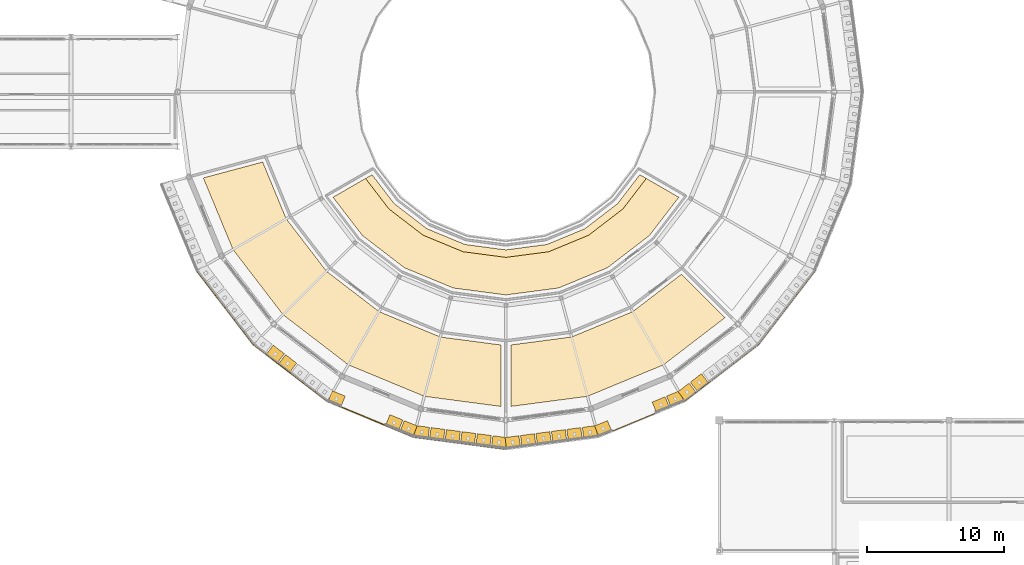
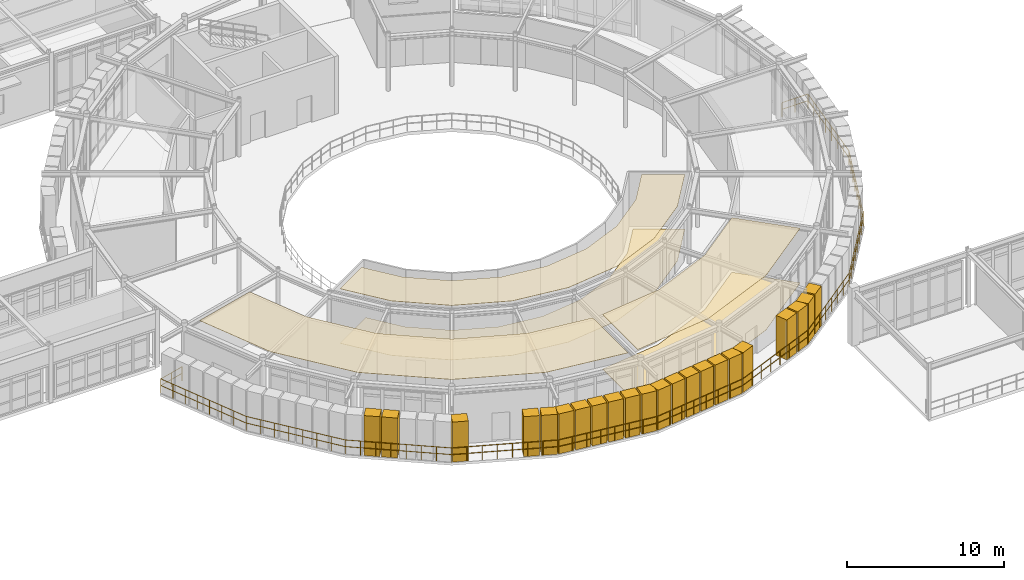
# One storey, part 98 of 106: 22 shading devices, 5 coverings, 2 railings.
"""IFC4 building model written with IfcOpenShell, lengths in metres."""

import ifcopenshell
import ifcopenshell.guid

model = None  # the IFC model being written
_history = None  # IfcOwnerHistory: only IFC2X3 demands one
_inside = {}  # id of a spatial element -> (the spatial element, [elements in it])
_under = {}  # id of a project, library or spatial element -> (it, [spatial elements below it])
_declared = {}  # id of a project -> (the project, [libraries it declares])
_typed = {}  # id of a type object -> (the type object, [elements of that type])
_made_of = {}  # id of a material, layer set ... -> (it, [elements and type objects made of it])


def new_model(schema):
    """Start an empty IFC model of exactly this schema.

    Asked for "IFC4X3", IfcOpenShell would pick the latest addendum, in which some entities
    have other attributes; the version numbers below select the first issue.
    IFC2X3 requires an IfcOwnerHistory on every rooted entity: one is made here for all.
    """
    global model, _history
    if schema == "IFC4X3":
        model = ifcopenshell.file(schema_version=(4, 3, 0, 0))
    else:
        model = ifcopenshell.file(schema=schema)
    _inside.clear()
    _under.clear()
    _declared.clear()
    _typed.clear()
    _made_of.clear()
    _history = None
    if model.schema == "IFC2X3":
        org = make("IfcOrganization", Name="unknown")
        user = make(
            "IfcPersonAndOrganization",
            ThePerson=make("IfcPerson", FamilyName="unknown"),
            TheOrganization=org,
        )
        app = make(
            "IfcApplication",
            ApplicationDeveloper=org,
            Version="unknown",
            ApplicationFullName="unknown",
            ApplicationIdentifier="unknown",
        )
        _history = make(
            "IfcOwnerHistory",
            OwningUser=user,
            OwningApplication=app,
            ChangeAction="ADDED",
            CreationDate=0,
        )
    return model


def make(cls, **values):
    """One entity of the class cls with the attributes given. An attribute that is None is left unset."""
    return model.create_entity(
        cls, **{name: value for name, value in values.items() if value is not None}
    )


def rooted(cls, **values):
    """An entity with a GlobalId (a new one), such as an element, a storey or a relation."""
    return make(cls, GlobalId=ifcopenshell.guid.new(), OwnerHistory=_history, **values)


def si_unit(unit_type, name, prefix=None):
    """IfcSIUnit, for example si_unit("LENGTHUNIT", "METRE", prefix="MILLI")."""
    return make("IfcSIUnit", UnitType=unit_type, Prefix=prefix, Name=name)


def derived_unit(unit_type, elements):
    """IfcDerivedUnit: a product of units, each with its exponent."""
    return make(
        "IfcDerivedUnit",
        Elements=[
            make("IfcDerivedUnitElement", Unit=unit, Exponent=power)
            for unit, power in elements
        ],
        UnitType=unit_type,
    )


def assignment(units):
    """IfcUnitAssignment: the units of a project."""
    return None if units is None else make("IfcUnitAssignment", Units=units)


def point(xyz):
    """IfcCartesianPoint."""
    return None if xyz is None else make("IfcCartesianPoint", Coordinates=xyz)


def direction(xyz):
    """IfcDirection."""
    return None if xyz is None else make("IfcDirection", DirectionRatios=xyz)


def frame(location, z_axis=None, x_axis=None):
    """IfcAxis2Placement3D, a coordinate frame: its origin and axes. An axis left out is left unset."""
    return make(
        "IfcAxis2Placement3D",
        Location=point(location),
        Axis=direction(z_axis),
        RefDirection=direction(x_axis),
    )


def frame_2d(location, x_axis=None):
    """IfcAxis2Placement2D, a coordinate frame in the plane: its origin and x axis."""
    return make(
        "IfcAxis2Placement2D", Location=point(location), RefDirection=direction(x_axis)
    )


def origin():
    """The frame at (0, 0, 0) with its axes left unset."""
    return frame((0.0, 0.0, 0.0))


def origin_2d():
    """The frame at (0, 0) in the plane with its x axis left unset."""
    return frame_2d((0.0, 0.0))


def place(relative_to, where):
    """IfcLocalPlacement: puts the frame where relative to a parent placement (None: the world)."""
    return make(
        "IfcLocalPlacement", PlacementRelTo=relative_to, RelativePlacement=where
    )


def context(
    kind, dimensions, precision=None, world=None, true_north=None, identifier=None
):
    """IfcGeometricRepresentationContext, for example the 3D "Model" context."""
    return make(
        "IfcGeometricRepresentationContext",
        ContextIdentifier=identifier,
        ContextType=kind,
        CoordinateSpaceDimension=dimensions,
        Precision=precision,
        WorldCoordinateSystem=world,
        TrueNorth=true_north,
    )


def subcontext(parent, identifier, kind, view, scale=None):
    """IfcGeometricRepresentationSubContext, for example "Body" below "Model"."""
    return make(
        "IfcGeometricRepresentationSubContext",
        ContextIdentifier=identifier,
        ContextType=kind,
        ParentContext=parent,
        TargetScale=scale,
        TargetView=view,
    )


def project(units=None, contexts=None):
    """IfcProject with its units and contexts."""
    return rooted(
        "IfcProject",
        Name="project",
        RepresentationContexts=contexts,
        UnitsInContext=assignment(units),
    )


def spatial(cls, under=None, at=None, **own):
    """A site, building, storey or space (cls), placed at a placement, below another one or the project."""
    s = rooted(cls, ObjectPlacement=at, **own)
    if under is not None:
        _under.setdefault(under.id(), (under, []))[1].append(s)
    return s


def polyline(points):
    """IfcPolyline through the points."""
    return make("IfcPolyline", Points=[point(p) for p in points])


def profile(cls, at=None, kind="AREA", **sizes):
    """A parametric profile (cls). Its sizes go by their IFC names, for example OverallWidth=200.0."""
    return make(cls, ProfileType=kind, Position=at, **sizes)


def rectangle(**sizes):
    """IfcRectangleProfileDef."""
    return profile("IfcRectangleProfileDef", **sizes)


def circle(**sizes):
    """IfcCircleProfileDef."""
    return profile("IfcCircleProfileDef", **sizes)


def outline(outer, holes=None, kind="AREA"):
    """IfcArbitraryClosedProfileDef: a profile drawn as a closed curve; with holes, ...WithVoids."""
    if holes is None:
        return make("IfcArbitraryClosedProfileDef", ProfileType=kind, OuterCurve=outer)
    return make(
        "IfcArbitraryProfileDefWithVoids",
        ProfileType=kind,
        OuterCurve=outer,
        InnerCurves=holes,
    )


def extrude(swept, where, along, depth):
    """IfcExtrudedAreaSolid: the profile swept, set in the frame where, extruded along a direction by depth."""
    return make(
        "IfcExtrudedAreaSolid",
        SweptArea=swept,
        Position=where,
        ExtrudedDirection=direction(along),
        Depth=depth,
    )


def shape(context_of_items, identifier, shape_type, items):
    """IfcShapeRepresentation: the items that make up one representation, for example the "Body"."""
    return make(
        "IfcShapeRepresentation",
        ContextOfItems=context_of_items,
        RepresentationIdentifier=identifier,
        RepresentationType=shape_type,
        Items=items,
    )


def material(Name=None, Category=None):
    """IfcMaterial."""
    return make("IfcMaterial", Name=Name, Category=Category)


def layer(
    of_material, thickness, ventilated=None, Name=None, Category=None, Priority=None
):
    """IfcMaterialLayer: one layer of a wall or slab, of a material (None: an air gap)."""
    return make(
        "IfcMaterialLayer",
        Material=of_material,
        LayerThickness=thickness,
        IsVentilated=ventilated,
        Name=Name,
        Category=Category,
        Priority=Priority,
    )


def layer_set(layers, Name=None):
    """IfcMaterialLayerSet."""
    return make("IfcMaterialLayerSet", MaterialLayers=layers, LayerSetName=Name)


def made_of(thing, what):
    """Note that an element or type object is made of a material, layer set ...; save() writes the relation."""
    if what is not None:
        _made_of.setdefault(what.id(), (what, []))[1].append(thing)
    return thing


def type_object(cls, material=None, **own):
    """A type object (cls), such as IfcWallType, which elements share."""
    return made_of(rooted(cls, **own), material)


def element(
    cls,
    number,
    at=None,
    inside=None,
    cuts=None,
    type_object=None,
    material=None,
    context=None,
    identifier="Body",
    shape_type=None,
    held_by="IfcProductDefinitionShape",
    body=None,
    shapes=None,
    **own,
):
    """One element of the class cls, such as IfcWall. Its Tag is "e" and its number.

    at: its placement. inside: the storey or other place that contains it. cuts: it is an
    opening in that element (IfcRelVoidsElement). A single representation is given by context,
    identifier, shape_type and body (its items); several are given by shapes. held_by: the class
    of the entity that holds the representations. save() writes the other relations.
    """
    e = rooted(cls, Tag="e%d" % number, ObjectPlacement=at, **own)
    if body is not None:
        shapes = [shape(context, identifier, shape_type, body)]
    if shapes is not None:
        e.Representation = make(held_by, Representations=shapes)
    if inside is not None:
        _inside.setdefault(inside.id(), (inside, []))[1].append(e)
    if cuts is not None:
        rooted(
            "IfcRelVoidsElement", RelatingBuildingElement=cuts, RelatedOpeningElement=e
        )
    if type_object is not None:
        _typed.setdefault(type_object.id(), (type_object, []))[1].append(e)
    return made_of(e, material)


def aggregate(whole, parts):
    """IfcRelAggregates: a whole, such as a stair, and the parts it consists of."""
    return rooted("IfcRelAggregates", RelatingObject=whole, RelatedObjects=parts)


def save(model, path):
    """Write the relations noted so far, then the file.

    IfcRelAggregates (storeys below a building ...), IfcRelContainedInSpatialStructure (elements
    in a storey), IfcRelDefinesByType, IfcRelAssociatesMaterial and IfcRelDeclares: one each for
    every whole, place, type object, material and project.
    """
    for whole, parts in _under.values():
        aggregate(whole, parts)
    for where, things in _inside.values():
        rooted(
            "IfcRelContainedInSpatialStructure",
            RelatedElements=things,
            RelatingStructure=where,
        )
    for kind, things in _typed.values():
        rooted("IfcRelDefinesByType", RelatedObjects=things, RelatingType=kind)
    for what, things in _made_of.values():
        rooted("IfcRelAssociatesMaterial", RelatedObjects=things, RelatingMaterial=what)
    for by, libraries in _declared.values():
        rooted("IfcRelDeclares", RelatingContext=by, RelatedDefinitions=libraries)
    model.write(path)


model = new_model("IFC4")

# Units and contexts
model_context = context("Model", 3, precision=1e-05, world=origin(), true_north=direction((0.0, 1.0)))
body_context = subcontext(model_context, "Body", "Model", "MODEL_VIEW")
ifc_project = project(units=[si_unit("LENGTHUNIT", "METRE"), si_unit("AREAUNIT", "SQUARE_METRE"), si_unit("VOLUMEUNIT", "CUBIC_METRE"), si_unit("PLANEANGLEUNIT", "RADIAN"), si_unit("MASSUNIT", "GRAM", prefix="KILO"), derived_unit("THERMALTRANSMITTANCEUNIT", [(si_unit("POWERUNIT", "WATT"), 1), (si_unit("AREAUNIT", "SQUARE_METRE"), -1), (si_unit("THERMODYNAMICTEMPERATUREUNIT", "KELVIN"), -1)])], contexts=[model_context])

# Site, building, storey
site_placement = place(None, origin())
site = spatial("IfcSite", under=ifc_project, at=site_placement, CompositionType="ELEMENT")
building_placement = place(site_placement, origin())
building = spatial("IfcBuilding", under=site, at=building_placement, Name="Yasenodar Specialist Clinic", CompositionType="ELEMENT")
storey_placement = place(building_placement, frame((0.0, 0.0, 4.5)))
storey = spatial("IfcBuildingStorey", under=building, at=storey_placement, Name="L01", CompositionType="ELEMENT", Elevation=4.5)

# Coverings
ifc_material_1 = material(Name="Hygienic Acoustic Mineral-Fibre Ceiling")
ifc_layer_1 = layer(ifc_material_1, 0.02490234375)
ifc_layer_set_1 = layer_set([ifc_layer_1], Name="Hygienic Acoustic Mineral-Fibre Ceiling")
covering_type_1 = type_object("IfcCoveringType", Name="COV-CEIL-AC", PredefinedType="CEILING", material=ifc_layer_set_1)
covering_1_placement = place(storey_placement, frame((0.0, 0.0, 4.22509765625)))
element("IfcCovering", 1, at=covering_1_placement, inside=storey, type_object=covering_type_1, Name="L01 Hematology Day-Treatment Suite Acoustic Ceiling", PredefinedType="CEILING", context=body_context, shape_type="SweptSolid", body=[
    extrude(outline(polyline([(64.927978515625, 49.5380859375), (64.943115234375, 49.511962890625), (64.9609375, 49.487060546875), (67.85302734375, 45.718017578125), (67.873046875, 45.694091796875), (67.89404296875, 45.673095703125), (67.91796875, 45.653076171875), (71.68701171875, 42.760986328125), (71.7119140625, 42.742919921875), (71.738037109375, 42.72802734375), (71.76611328125, 42.715087890625), (76.156005859375, 40.89697265625), (76.18408203125, 40.885986328125), (76.214111328125, 40.8779296875), (76.243896484375, 40.873046875), (80.64990234375, 40.29296875), (80.64990234375, 35.799072265625), (75.034912109375, 36.5380859375), (69.47705078125, 38.841064453125), (64.702880859375, 42.5029296875), (61.041015625, 47.277099609375), (58.873046875, 52.509033203125), (63.214111328125, 53.672119140625), (64.9150390625, 49.56591796875), (64.927978515625, 49.5380859375)])), origin(), (0.0, 0.0, 1.0), 0.02490234375),
])
covering_2_placement = place(storey_placement, frame((0.0, 0.0, 4.22509765625)))
element("IfcCovering", 2, at=covering_2_placement, inside=storey, type_object=covering_type_1, Name="L01 Infusion Recovery Observation Room Acoustic Ceiling", PredefinedType="CEILING", context=body_context, shape_type="SweptSolid", body=[
    extrude(outline(polyline([(85.81591796875, 40.885986328125), (85.843994140625, 40.89697265625), (90.23388671875, 42.715087890625), (90.261962890625, 42.72802734375), (90.2880859375, 42.742919921875), (90.31298828125, 42.760986328125), (93.839111328125, 45.466064453125), (97.01708984375, 42.2880859375), (92.52294921875, 38.841064453125), (86.965087890625, 36.5380859375), (81.3701171875, 35.802001953125), (81.3701171875, 40.2958984375), (85.756103515625, 40.873046875), (85.785888671875, 40.8779296875), (85.81591796875, 40.885986328125)])), origin(), (0.0, 0.0, 1.0), 0.02490234375),
])
covering_3_placement = place(storey_placement, frame((0.0, 0.0, 4.22509765625)))
element("IfcCovering", 3, at=covering_3_placement, inside=storey, type_object=covering_type_1, Name="L01 Atrium Daylit Waiting Gallery Acoustic Ceiling", PredefinedType="CEILING", context=body_context, shape_type="SweptSolid", body=[
    extrude(outline(polyline([(93.64306640625, 51.095947265625), (91.498046875, 48.302001953125), (88.423095703125, 45.94189453125), (84.843017578125, 44.458984375), (81.0, 43.952880859375), (77.156982421875, 44.458984375), (73.576904296875, 45.94189453125), (70.501953125, 48.302001953125), (68.35693359375, 51.095947265625), (70.735107421875, 52.469970703125), (72.43505859375, 50.25390625), (72.44091796875, 50.2470703125), (72.447021484375, 50.240966796875), (72.4541015625, 50.235107421875), (74.93896484375, 48.327880859375), (74.946044921875, 48.322998046875), (74.9541015625, 48.319091796875), (74.9619140625, 48.31494140625), (77.85595703125, 47.116943359375), (77.864013671875, 47.114013671875), (77.873046875, 47.111083984375), (77.881103515625, 47.110107421875), (80.987060546875, 46.700927734375), (80.99609375, 46.699951171875), (81.00390625, 46.699951171875), (81.012939453125, 46.700927734375), (84.118896484375, 47.110107421875), (84.126953125, 47.111083984375), (84.135986328125, 47.114013671875), (84.14404296875, 47.116943359375), (87.0380859375, 48.31494140625), (87.0458984375, 48.319091796875), (87.053955078125, 48.322998046875), (87.06103515625, 48.327880859375), (89.5458984375, 50.235107421875), (89.552978515625, 50.240966796875), (89.55908203125, 50.2470703125), (89.56494140625, 50.25390625), (91.264892578125, 52.469970703125), (93.64306640625, 51.095947265625)])), origin(), (0.0, 0.0, 1.0), 0.02490234375),
])
ifc_material_2 = material(Name="Seamless Epoxy Terrazzo Clinical Flooring")
ifc_layer_2 = layer(ifc_material_2, 0.02001953125)
ifc_layer_set_2 = layer_set([ifc_layer_2], Name="Seamless Epoxy Terrazzo Clinical Flooring")
covering_type_2 = type_object("IfcCoveringType", Name="COV-FLR-TERR", PredefinedType="FLOORING", material=ifc_layer_set_2)
covering_4_placement = place(storey_placement, origin())
element("IfcCovering", 4, at=covering_4_placement, inside=storey, type_object=covering_type_2, Name="L01 Infusion Recovery Observation Room Terrazzo Flooring", PredefinedType="FLOORING", context=body_context, shape_type="SweptSolid", body=[
    extrude(outline(polyline([(85.81591796875, 40.885986328125), (85.843994140625, 40.89697265625), (90.23388671875, 42.715087890625), (90.261962890625, 42.72802734375), (90.2880859375, 42.742919921875), (90.31298828125, 42.760986328125), (93.839111328125, 45.466064453125), (97.01708984375, 42.2880859375), (92.52294921875, 38.841064453125), (86.965087890625, 36.5380859375), (81.3701171875, 35.802001953125), (81.3701171875, 40.2958984375), (85.756103515625, 40.873046875), (85.785888671875, 40.8779296875), (85.81591796875, 40.885986328125)])), origin(), (0.0, 0.0, 1.0), 0.02001953125),
])
covering_5_placement = place(storey_placement, origin())
element("IfcCovering", 5, at=covering_5_placement, inside=storey, type_object=covering_type_2, Name="L01 Atrium Daylit Waiting Gallery Terrazzo Flooring", PredefinedType="FLOORING", context=body_context, shape_type="SweptSolid", body=[
    extrude(outline(polyline([(72.822021484375, 50.64404296875), (72.843994140625, 50.6220703125), (72.866943359375, 50.60302734375), (75.18701171875, 48.822998046875), (75.2119140625, 48.804931640625), (75.238037109375, 48.7900390625), (75.26611328125, 48.777099609375), (77.967041015625, 47.657958984375), (77.99609375, 47.64794921875), (78.02490234375, 47.639892578125), (78.055908203125, 47.635009765625), (80.9541015625, 47.2529296875), (80.985107421875, 47.25), (81.014892578125, 47.25), (81.0458984375, 47.2529296875), (83.944091796875, 47.635009765625), (83.97509765625, 47.639892578125), (84.00390625, 47.64794921875), (84.032958984375, 47.657958984375), (86.73388671875, 48.777099609375), (86.761962890625, 48.7900390625), (86.7880859375, 48.804931640625), (86.81298828125, 48.822998046875), (89.133056640625, 50.60302734375), (89.156005859375, 50.6220703125), (89.177978515625, 50.64404296875), (89.197021484375, 50.6669921875), (90.7900390625, 52.742919921875), (93.64306640625, 51.095947265625), (91.498046875, 48.302001953125), (88.423095703125, 45.94189453125), (84.843017578125, 44.458984375), (81.0, 43.952880859375), (77.156982421875, 44.458984375), (73.576904296875, 45.94189453125), (70.501953125, 48.302001953125), (68.35693359375, 51.095947265625), (71.2099609375, 52.742919921875), (72.802978515625, 50.6669921875), (72.822021484375, 50.64404296875)])), origin(), (0.0, 0.0, 1.0), 0.02001953125),
])

# Railings
ifc_material_3 = material(Name="Bronze Anodized Aluminium and Larch Balustrade", Category="aluminium")
railing_type = type_object("IfcRailingType", Name="RL-BAL-1120", PredefinedType="BALUSTRADE", material=ifc_material_3)
railing_1_placement = place(storey_placement, frame((57.605224609375, 52.531494140625, 0.0)))
element("IfcRailing", 6, at=railing_1_placement, inside=storey, type_object=railing_type, Name="L01 Drum V1 Balcony Balustrade 3", PredefinedType="BALUSTRADE", context=body_context, shape_type="SweptSolid", body=[
    extrude(circle(Radius=0.02392578125, at=origin_2d()), frame((0.0, 0.0, 1.09619140625), z_axis=(-0.965899289485, -0.258918061502, 0.0), x_axis=(0.258918061502, -0.965899289485, 0.0)), (0.0, 0.0, 1.0), 1.89990234375),
    extrude(circle(Radius=0.02392578125, at=origin_2d()), frame((0.0, 0.0, 0.58251953125), z_axis=(-0.965899289485, -0.258918061502, 0.0), x_axis=(0.258918061502, -0.965899289485, 0.0)), (0.0, 0.0, 1.0), 1.89990234375),
    extrude(circle(Radius=0.02392578125, at=origin_2d()), frame((-1.835205078125, -0.491943359375, 1.09619140625), z_axis=(0.382684882513, -0.923878931839, 0.0), x_axis=(0.923878931839, 0.382684882513, 0.0)), (0.0, 0.0, 1.0), 6.818603515625),
    extrude(circle(Radius=0.02392578125, at=origin_2d()), frame((-1.835205078125, -0.491943359375, 0.58251953125), z_axis=(0.382684882513, -0.923878931839, 0.0), x_axis=(0.923878931839, 0.382684882513, 0.0)), (0.0, 0.0, 1.0), 6.818603515625),
    extrude(circle(Radius=0.02392578125, at=origin_2d()), frame((0.774169921875, -6.79150390625, 1.09619140625), z_axis=(0.608774242529, -0.793343507967, 0.0), x_axis=(0.793343507967, 0.608774242529, 0.0)), (0.0, 0.0, 1.0), 6.81884765625),
    extrude(circle(Radius=0.02392578125, at=origin_2d()), frame((0.774169921875, -6.79150390625, 0.58251953125), z_axis=(0.608774242529, -0.793343507967, 0.0), x_axis=(0.793343507967, 0.608774242529, 0.0)), (0.0, 0.0, 1.0), 6.81884765625),
    extrude(circle(Radius=0.02392578125, at=origin_2d()), frame((4.92529296875, -12.201171875, 1.09619140625), z_axis=(0.793347531118, -0.608768999597, 0.0), x_axis=(0.608768999597, 0.793347531118, 0.0)), (0.0, 0.0, 1.0), 6.818359375),
    extrude(circle(Radius=0.02392578125, at=origin_2d()), frame((4.92529296875, -12.201171875, 0.58251953125), z_axis=(0.793347531118, -0.608768999597, 0.0), x_axis=(0.608768999597, 0.793347531118, 0.0)), (0.0, 0.0, 1.0), 6.818359375),
    extrude(circle(Radius=0.02392578125, at=origin_2d()), frame((10.334716796875, -16.35205078125, 1.09619140625), z_axis=(0.923878931839, -0.382684882513, 0.0), x_axis=(0.382684882513, 0.923878931839, 0.0)), (0.0, 0.0, 1.0), 6.818603515625),
    extrude(circle(Radius=0.02392578125, at=origin_2d()), frame((10.334716796875, -16.35205078125, 0.58251953125), z_axis=(0.923878931839, -0.382684882513, 0.0), x_axis=(0.382684882513, 0.923878931839, 0.0)), (0.0, 0.0, 1.0), 6.818603515625),
    extrude(circle(Radius=0.02392578125, at=origin_2d()), frame((16.63427734375, -18.96142578125, 1.09619140625), z_axis=(0.9914429584, -0.130540645926, 0.0), x_axis=(0.130540645926, 0.9914429584, 0.0)), (0.0, 0.0, 1.0), 6.81884765625),
    extrude(circle(Radius=0.02392578125, at=origin_2d()), frame((16.63427734375, -18.96142578125, 0.58251953125), z_axis=(0.9914429584, -0.130540645926, 0.0), x_axis=(0.130540645926, 0.9914429584, 0.0)), (0.0, 0.0, 1.0), 6.81884765625),
    extrude(circle(Radius=0.02392578125, at=origin_2d()), frame((23.394775390625, -19.8515625, 1.09619140625), z_axis=(0.0, 1.0, 0.0), x_axis=(-1.0, 0.0, 0.0)), (0.0, 0.0, 1.0), 1.900146484375),
    extrude(circle(Radius=0.02392578125, at=origin_2d()), frame((23.394775390625, -19.8515625, 0.58251953125), z_axis=(0.0, 1.0, 0.0), x_axis=(-1.0, 0.0, 0.0)), (0.0, 0.0, 1.0), 1.900146484375),
    extrude(circle(Radius=0.02099609375, at=origin_2d()), origin(), (0.0, 0.0, 1.0), 1.072021484375),
    extrude(circle(Radius=0.02099609375, at=origin_2d()), frame((-0.91748046875, -0.24609375, 0.0)), (0.0, 0.0, 1.0), 1.072021484375),
    extrude(circle(Radius=0.02099609375, at=origin_2d()), frame((-1.835205078125, -0.491943359375, 0.0)), (0.0, 0.0, 1.0), 1.072021484375),
    extrude(circle(Radius=0.02099609375, at=origin_2d()), frame((-1.46240234375, -1.391845703125, 0.0)), (0.0, 0.0, 1.0), 1.072021484375),
    extrude(circle(Radius=0.02099609375, at=origin_2d()), frame((-1.089599609375, -2.291748046875, 0.0)), (0.0, 0.0, 1.0), 1.072021484375),
    extrude(circle(Radius=0.02099609375, at=origin_2d()), frame((-0.716796875, -3.191650390625, 0.0)), (0.0, 0.0, 1.0), 1.072021484375),
    extrude(circle(Radius=0.02099609375, at=origin_2d()), frame((-0.34423828125, -4.091796875, 0.0)), (0.0, 0.0, 1.0), 1.072021484375),
    extrude(circle(Radius=0.02099609375, at=origin_2d()), frame((0.028564453125, -4.99169921875, 0.0)), (0.0, 0.0, 1.0), 1.072021484375),
    extrude(circle(Radius=0.02099609375, at=origin_2d()), frame((0.4013671875, -5.8916015625, 0.0)), (0.0, 0.0, 1.0), 1.072021484375),
    extrude(circle(Radius=0.02099609375, at=origin_2d()), frame((0.774169921875, -6.79150390625, 0.0)), (0.0, 0.0, 1.0), 1.072021484375),
    extrude(circle(Radius=0.02099609375, at=origin_2d()), frame((1.3671875, -7.564208984375, 0.0)), (0.0, 0.0, 1.0), 1.072021484375),
    extrude(circle(Radius=0.02099609375, at=origin_2d()), frame((1.960205078125, -8.337158203125, 0.0)), (0.0, 0.0, 1.0), 1.072021484375),
    extrude(circle(Radius=0.02099609375, at=origin_2d()), frame((2.55322265625, -9.10986328125, 0.0)), (0.0, 0.0, 1.0), 1.072021484375),
    extrude(circle(Radius=0.02099609375, at=origin_2d()), frame((3.146240234375, -9.8828125, 0.0)), (0.0, 0.0, 1.0), 1.072021484375),
    extrude(circle(Radius=0.02099609375, at=origin_2d()), frame((3.7392578125, -10.655517578125, 0.0)), (0.0, 0.0, 1.0), 1.072021484375),
    extrude(circle(Radius=0.02099609375, at=origin_2d()), frame((4.332275390625, -11.428466796875, 0.0)), (0.0, 0.0, 1.0), 1.072021484375),
    extrude(circle(Radius=0.02099609375, at=origin_2d()), frame((4.92529296875, -12.201171875, 0.0)), (0.0, 0.0, 1.0), 1.072021484375),
    extrude(circle(Radius=0.02099609375, at=origin_2d()), frame((5.697998046875, -12.794189453125, 0.0)), (0.0, 0.0, 1.0), 1.072021484375),
    extrude(circle(Radius=0.02099609375, at=origin_2d()), frame((6.470947265625, -13.38720703125, 0.0)), (0.0, 0.0, 1.0), 1.072021484375),
    extrude(circle(Radius=0.02099609375, at=origin_2d()), frame((7.24365234375, -13.980224609375, 0.0)), (0.0, 0.0, 1.0), 1.072021484375),
    extrude(circle(Radius=0.02099609375, at=origin_2d()), frame((8.016357421875, -14.572998046875, 0.0)), (0.0, 0.0, 1.0), 1.072021484375),
    extrude(circle(Radius=0.02099609375, at=origin_2d()), frame((8.7890625, -15.166015625, 0.0)), (0.0, 0.0, 1.0), 1.072021484375),
    extrude(circle(Radius=0.02099609375, at=origin_2d()), frame((9.56201171875, -15.759033203125, 0.0)), (0.0, 0.0, 1.0), 1.072021484375),
    extrude(circle(Radius=0.02099609375, at=origin_2d()), frame((10.334716796875, -16.35205078125, 0.0)), (0.0, 0.0, 1.0), 1.072021484375),
    extrude(circle(Radius=0.02099609375, at=origin_2d()), frame((11.234619140625, -16.724853515625, 0.0)), (0.0, 0.0, 1.0), 1.072021484375),
    extrude(circle(Radius=0.02099609375, at=origin_2d()), frame((12.134521484375, -17.09765625, 0.0)), (0.0, 0.0, 1.0), 1.072021484375),
    extrude(circle(Radius=0.02099609375, at=origin_2d()), frame((13.034423828125, -17.470458984375, 0.0)), (0.0, 0.0, 1.0), 1.072021484375),
    extrude(circle(Radius=0.02099609375, at=origin_2d()), frame((13.9345703125, -17.843017578125, 0.0)), (0.0, 0.0, 1.0), 1.072021484375),
    extrude(circle(Radius=0.02099609375, at=origin_2d()), frame((14.83447265625, -18.2158203125, 0.0)), (0.0, 0.0, 1.0), 1.072021484375),
    extrude(circle(Radius=0.02099609375, at=origin_2d()), frame((15.734375, -18.588623046875, 0.0)), (0.0, 0.0, 1.0), 1.072021484375),
    extrude(circle(Radius=0.02099609375, at=origin_2d()), frame((16.63427734375, -18.96142578125, 0.0)), (0.0, 0.0, 1.0), 1.072021484375),
    extrude(circle(Radius=0.02099609375, at=origin_2d()), frame((17.60009765625, -19.088623046875, 0.0)), (0.0, 0.0, 1.0), 1.072021484375),
    extrude(circle(Radius=0.02099609375, at=origin_2d()), frame((18.56591796875, -19.2158203125, 0.0)), (0.0, 0.0, 1.0), 1.072021484375),
    extrude(circle(Radius=0.02099609375, at=origin_2d()), frame((19.53173828125, -19.343017578125, 0.0)), (0.0, 0.0, 1.0), 1.072021484375),
    extrude(circle(Radius=0.02099609375, at=origin_2d()), frame((20.497314453125, -19.469970703125, 0.0)), (0.0, 0.0, 1.0), 1.072021484375),
    extrude(circle(Radius=0.02099609375, at=origin_2d()), frame((21.463134765625, -19.59716796875, 0.0)), (0.0, 0.0, 1.0), 1.072021484375),
    extrude(circle(Radius=0.02099609375, at=origin_2d()), frame((22.428955078125, -19.724365234375, 0.0)), (0.0, 0.0, 1.0), 1.072021484375),
    extrude(circle(Radius=0.02099609375, at=origin_2d()), frame((23.394775390625, -19.8515625, 0.0)), (0.0, 0.0, 1.0), 1.072021484375),
    extrude(circle(Radius=0.02099609375, at=origin_2d()), frame((23.394775390625, -18.9013671875, 0.0)), (0.0, 0.0, 1.0), 1.072021484375),
    extrude(circle(Radius=0.02099609375, at=origin_2d()), frame((23.394775390625, -17.951416015625, 0.0)), (0.0, 0.0, 1.0), 1.072021484375),
])
railing_2_placement = place(storey_placement, frame((81.0, 34.580078125, 0.0)))
element("IfcRailing", 7, at=railing_2_placement, inside=storey, type_object=railing_type, Name="L01 Drum V1 Balcony Balustrade 4", PredefinedType="BALUSTRADE", context=body_context, shape_type="SweptSolid", body=[
    extrude(circle(Radius=0.02392578125, at=origin_2d()), frame((0.0, 0.0, 1.09619140625), z_axis=(0.0, -1.0, 0.0), x_axis=(1.0, 0.0, 0.0)), (0.0, 0.0, 1.0), 1.900146484375),
    extrude(circle(Radius=0.02392578125, at=origin_2d()), frame((0.0, 0.0, 0.58251953125), z_axis=(0.0, -1.0, 0.0), x_axis=(1.0, 0.0, 0.0)), (0.0, 0.0, 1.0), 1.900146484375),
    extrude(circle(Radius=0.02392578125, at=origin_2d()), frame((0.0, -1.900146484375, 1.09619140625), z_axis=(0.9914429584, 0.130540645926, 0.0), x_axis=(-0.130540645926, 0.9914429584, 0.0)), (0.0, 0.0, 1.0), 6.81884765625),
    extrude(circle(Radius=0.02392578125, at=origin_2d()), frame((0.0, -1.900146484375, 0.58251953125), z_axis=(0.9914429584, 0.130540645926, 0.0), x_axis=(-0.130540645926, 0.9914429584, 0.0)), (0.0, 0.0, 1.0), 6.81884765625),
    extrude(circle(Radius=0.02392578125, at=origin_2d()), frame((6.760498046875, -1.010009765625, 1.09619140625), z_axis=(0.923878931839, 0.382684882513, 0.0), x_axis=(-0.382684882513, 0.923878931839, 0.0)), (0.0, 0.0, 1.0), 6.818603515625),
    extrude(circle(Radius=0.02392578125, at=origin_2d()), frame((6.760498046875, -1.010009765625, 0.58251953125), z_axis=(0.923878931839, 0.382684882513, 0.0), x_axis=(-0.382684882513, 0.923878931839, 0.0)), (0.0, 0.0, 1.0), 6.818603515625),
    extrude(circle(Radius=0.02392578125, at=origin_2d()), frame((13.06005859375, 1.599365234375, 1.09619140625), z_axis=(0.793347531118, 0.608768999597, 0.0), x_axis=(-0.608768999597, 0.793347531118, 0.0)), (0.0, 0.0, 1.0), 6.818359375),
    extrude(circle(Radius=0.02392578125, at=origin_2d()), frame((13.06005859375, 1.599365234375, 0.58251953125), z_axis=(0.793347531118, 0.608768999597, 0.0), x_axis=(-0.608768999597, 0.793347531118, 0.0)), (0.0, 0.0, 1.0), 6.818359375),
    extrude(circle(Radius=0.02392578125, at=origin_2d()), frame((18.469482421875, 5.750244140625, 1.09619140625), z_axis=(0.608774242529, 0.793343507967, 0.0), x_axis=(-0.793343507967, 0.608774242529, 0.0)), (0.0, 0.0, 1.0), 6.81884765625),
    extrude(circle(Radius=0.02392578125, at=origin_2d()), frame((18.469482421875, 5.750244140625, 0.58251953125), z_axis=(0.608774242529, 0.793343507967, 0.0), x_axis=(-0.793343507967, 0.608774242529, 0.0)), (0.0, 0.0, 1.0), 6.81884765625),
    extrude(circle(Radius=0.02392578125, at=origin_2d()), frame((22.62060546875, 11.159912109375, 1.09619140625), z_axis=(0.382684882513, 0.923878931839, 0.0), x_axis=(-0.923878931839, 0.382684882513, 0.0)), (0.0, 0.0, 1.0), 6.818603515625),
    extrude(circle(Radius=0.02392578125, at=origin_2d()), frame((22.62060546875, 11.159912109375, 0.58251953125), z_axis=(0.382684882513, 0.923878931839, 0.0), x_axis=(-0.923878931839, 0.382684882513, 0.0)), (0.0, 0.0, 1.0), 6.818603515625),
    extrude(circle(Radius=0.02392578125, at=origin_2d()), frame((25.22998046875, 17.45947265625, 1.09619140625), z_axis=(0.130540645926, 0.9914429584, 0.0), x_axis=(-0.9914429584, 0.130540645926, 0.0)), (0.0, 0.0, 1.0), 6.81884765625),
    extrude(circle(Radius=0.02392578125, at=origin_2d()), frame((25.22998046875, 17.45947265625, 0.58251953125), z_axis=(0.130540645926, 0.9914429584, 0.0), x_axis=(-0.9914429584, 0.130540645926, 0.0)), (0.0, 0.0, 1.0), 6.81884765625),
    extrude(circle(Radius=0.02392578125, at=origin_2d()), frame((26.1201171875, 24.219970703125, 1.09619140625), z_axis=(-1.0, 0.0, 0.0), x_axis=(0.0, -1.0, 0.0)), (0.0, 0.0, 1.0), 1.900146484375),
    extrude(circle(Radius=0.02392578125, at=origin_2d()), frame((26.1201171875, 24.219970703125, 0.58251953125), z_axis=(-1.0, 0.0, 0.0), x_axis=(0.0, -1.0, 0.0)), (0.0, 0.0, 1.0), 1.900146484375),
    extrude(circle(Radius=0.02099609375, at=origin_2d()), origin(), (0.0, 0.0, 1.0), 1.072021484375),
    extrude(circle(Radius=0.02099609375, at=origin_2d()), frame((0.0, -0.9501953125, 0.0)), (0.0, 0.0, 1.0), 1.072021484375),
    extrude(circle(Radius=0.02099609375, at=origin_2d()), frame((0.0, -1.900146484375, 0.0)), (0.0, 0.0, 1.0), 1.072021484375),
    extrude(circle(Radius=0.02099609375, at=origin_2d()), frame((0.9658203125, -1.77294921875, 0.0)), (0.0, 0.0, 1.0), 1.072021484375),
    extrude(circle(Radius=0.02099609375, at=origin_2d()), frame((1.931640625, -1.645751953125, 0.0)), (0.0, 0.0, 1.0), 1.072021484375),
    extrude(circle(Radius=0.02099609375, at=origin_2d()), frame((2.8974609375, -1.5185546875, 0.0)), (0.0, 0.0, 1.0), 1.072021484375),
    extrude(circle(Radius=0.02099609375, at=origin_2d()), frame((3.863037109375, -1.3916015625, 0.0)), (0.0, 0.0, 1.0), 1.072021484375),
    extrude(circle(Radius=0.02099609375, at=origin_2d()), frame((4.828857421875, -1.264404296875, 0.0)), (0.0, 0.0, 1.0), 1.072021484375),
    extrude(circle(Radius=0.02099609375, at=origin_2d()), frame((5.794677734375, -1.13720703125, 0.0)), (0.0, 0.0, 1.0), 1.072021484375),
    extrude(circle(Radius=0.02099609375, at=origin_2d()), frame((6.760498046875, -1.010009765625, 0.0)), (0.0, 0.0, 1.0), 1.072021484375),
    extrude(circle(Radius=0.02099609375, at=origin_2d()), frame((7.660400390625, -0.63720703125, 0.0)), (0.0, 0.0, 1.0), 1.072021484375),
    extrude(circle(Radius=0.02099609375, at=origin_2d()), frame((8.560302734375, -0.264404296875, 0.0)), (0.0, 0.0, 1.0), 1.072021484375),
    extrude(circle(Radius=0.02099609375, at=origin_2d()), frame((9.460205078125, 0.1083984375, 0.0)), (0.0, 0.0, 1.0), 1.072021484375),
    extrude(circle(Radius=0.02099609375, at=origin_2d()), frame((10.3603515625, 0.48095703125, 0.0)), (0.0, 0.0, 1.0), 1.072021484375),
    extrude(circle(Radius=0.02099609375, at=origin_2d()), frame((11.26025390625, 0.853759765625, 0.0)), (0.0, 0.0, 1.0), 1.072021484375),
    extrude(circle(Radius=0.02099609375, at=origin_2d()), frame((12.16015625, 1.2265625, 0.0)), (0.0, 0.0, 1.0), 1.072021484375),
    extrude(circle(Radius=0.02099609375, at=origin_2d()), frame((13.06005859375, 1.599365234375, 0.0)), (0.0, 0.0, 1.0), 1.072021484375),
    extrude(circle(Radius=0.02099609375, at=origin_2d()), frame((13.832763671875, 2.1923828125, 0.0)), (0.0, 0.0, 1.0), 1.072021484375),
    extrude(circle(Radius=0.02099609375, at=origin_2d()), frame((14.605712890625, 2.785400390625, 0.0)), (0.0, 0.0, 1.0), 1.072021484375),
    extrude(circle(Radius=0.02099609375, at=origin_2d()), frame((15.37841796875, 3.37841796875, 0.0)), (0.0, 0.0, 1.0), 1.072021484375),
    extrude(circle(Radius=0.02099609375, at=origin_2d()), frame((16.151123046875, 3.97119140625, 0.0)), (0.0, 0.0, 1.0), 1.072021484375),
    extrude(circle(Radius=0.02099609375, at=origin_2d()), frame((16.923828125, 4.564208984375, 0.0)), (0.0, 0.0, 1.0), 1.072021484375),
    extrude(circle(Radius=0.02099609375, at=origin_2d()), frame((17.69677734375, 5.1572265625, 0.0)), (0.0, 0.0, 1.0), 1.072021484375),
    extrude(circle(Radius=0.02099609375, at=origin_2d()), frame((18.469482421875, 5.750244140625, 0.0)), (0.0, 0.0, 1.0), 1.072021484375),
    extrude(circle(Radius=0.02099609375, at=origin_2d()), frame((19.0625, 6.52294921875, 0.0)), (0.0, 0.0, 1.0), 1.072021484375),
    extrude(circle(Radius=0.02099609375, at=origin_2d()), frame((19.655517578125, 7.2958984375, 0.0)), (0.0, 0.0, 1.0), 1.072021484375),
    extrude(circle(Radius=0.02099609375, at=origin_2d()), frame((20.24853515625, 8.068603515625, 0.0)), (0.0, 0.0, 1.0), 1.072021484375),
    extrude(circle(Radius=0.02099609375, at=origin_2d()), frame((20.841552734375, 8.841552734375, 0.0)), (0.0, 0.0, 1.0), 1.072021484375),
    extrude(circle(Radius=0.02099609375, at=origin_2d()), frame((21.4345703125, 9.6142578125, 0.0)), (0.0, 0.0, 1.0), 1.072021484375),
    extrude(circle(Radius=0.02099609375, at=origin_2d()), frame((22.027587890625, 10.38720703125, 0.0)), (0.0, 0.0, 1.0), 1.072021484375),
    extrude(circle(Radius=0.02099609375, at=origin_2d()), frame((22.62060546875, 11.159912109375, 0.0)), (0.0, 0.0, 1.0), 1.072021484375),
    extrude(circle(Radius=0.02099609375, at=origin_2d()), frame((22.993408203125, 12.059814453125, 0.0)), (0.0, 0.0, 1.0), 1.072021484375),
    extrude(circle(Radius=0.02099609375, at=origin_2d()), frame((23.3662109375, 12.959716796875, 0.0)), (0.0, 0.0, 1.0), 1.072021484375),
    extrude(circle(Radius=0.02099609375, at=origin_2d()), frame((23.739013671875, 13.859619140625, 0.0)), (0.0, 0.0, 1.0), 1.072021484375),
    extrude(circle(Radius=0.02099609375, at=origin_2d()), frame((24.111572265625, 14.759765625, 0.0)), (0.0, 0.0, 1.0), 1.072021484375),
    extrude(circle(Radius=0.02099609375, at=origin_2d()), frame((24.484375, 15.65966796875, 0.0)), (0.0, 0.0, 1.0), 1.072021484375),
    extrude(circle(Radius=0.02099609375, at=origin_2d()), frame((24.857177734375, 16.5595703125, 0.0)), (0.0, 0.0, 1.0), 1.072021484375),
    extrude(circle(Radius=0.02099609375, at=origin_2d()), frame((25.22998046875, 17.45947265625, 0.0)), (0.0, 0.0, 1.0), 1.072021484375),
    extrude(circle(Radius=0.02099609375, at=origin_2d()), frame((25.357177734375, 18.42529296875, 0.0)), (0.0, 0.0, 1.0), 1.072021484375),
    extrude(circle(Radius=0.02099609375, at=origin_2d()), frame((25.484375, 19.39111328125, 0.0)), (0.0, 0.0, 1.0), 1.072021484375),
    extrude(circle(Radius=0.02099609375, at=origin_2d()), frame((25.611572265625, 20.35693359375, 0.0)), (0.0, 0.0, 1.0), 1.072021484375),
    extrude(circle(Radius=0.02099609375, at=origin_2d()), frame((25.738525390625, 21.322509765625, 0.0)), (0.0, 0.0, 1.0), 1.072021484375),
    extrude(circle(Radius=0.02099609375, at=origin_2d()), frame((25.86572265625, 22.288330078125, 0.0)), (0.0, 0.0, 1.0), 1.072021484375),
    extrude(circle(Radius=0.02099609375, at=origin_2d()), frame((25.992919921875, 23.254150390625, 0.0)), (0.0, 0.0, 1.0), 1.072021484375),
    extrude(circle(Radius=0.02099609375, at=origin_2d()), frame((26.1201171875, 24.219970703125, 0.0)), (0.0, 0.0, 1.0), 1.072021484375),
    extrude(circle(Radius=0.02099609375, at=origin_2d()), frame((25.169921875, 24.219970703125, 0.0)), (0.0, 0.0, 1.0), 1.072021484375),
    extrude(circle(Radius=0.02099609375, at=origin_2d()), frame((24.219970703125, 24.219970703125, 0.0)), (0.0, 0.0, 1.0), 1.072021484375),
])

# Shading devices
ifc_material_4 = material(Name="Thermally Modified Larch and Bronze Girih Jali Shutter")
shading_device_type = type_object("IfcShadingDeviceType", Name="SHD-JALI-850", PredefinedType="SHUTTER", material=ifc_material_4)
for number, where, z_axis, x_axis, name in (
    (8, (64.134765625, 39.629638671875, -0.005126953125), (0.0, 0.0, 1.0), (0.793351200869, -0.608764217148, 0.0), "L01 Mughal Girih Jali Sliding Shutter Frame 0062"),
    (9, (65.0390625, 38.935546875, -0.005126953125), (0.0, 0.0, 1.0), (0.793351200869, -0.608764217148, 0.0), "L01 Mughal Girih Jali Sliding Shutter Frame 0063"),
    (10, (68.617919921875, 36.35400390625, -0.005126953125), (0.0, 0.0, 1.0), (0.923878192594, -0.382686667195, 0.0), "L01 Mughal Girih Jali Sliding Shutter Frame 0067"),
    (11, (72.83056640625, 34.60888671875, -0.005126953125), (0.0, 0.0, 1.0), (0.923878192594, -0.382686667195, 0.0), "L01 Mughal Girih Jali Sliding Shutter Frame 0068"),
    (12, (73.8837890625, 34.1728515625, -0.005126953125), (0.0, 0.0, 1.0), (0.923878192594, -0.382686667195, 0.0), "L01 Mughal Girih Jali Sliding Shutter Frame 0069"),
    (13, (74.849365234375, 33.9140625, -0.005126953125), (0.0, 0.0, 1.0), (0.991445783754, -0.130519185854, 0.0), "L01 Mughal Girih Jali Sliding Shutter Frame 0070"),
    (14, (75.9794921875, 33.76513671875, -0.005126953125), (0.0, 0.0, 1.0), (0.991445783754, -0.130519185854, 0.0), "L01 Mughal Girih Jali Sliding Shutter Frame 0071"),
    (15, (77.109619140625, 33.616455078125, -0.005126953125), (0.0, 0.0, 1.0), (0.991445783754, -0.130519185854, 0.0), "L01 Mughal Girih Jali Sliding Shutter Frame 0072"),
    (16, (78.23974609375, 33.4677734375, -0.005126953125), (0.0, 0.0, 1.0), (0.991445783754, -0.130519185854, 0.0), "L01 Mughal Girih Jali Sliding Shutter Frame 0073"),
    (17, (79.3701171875, 33.31884765625, -0.005126953125), (0.0, 0.0, 1.0), (0.991445783754, -0.130519185854, 0.0), "L01 Mughal Girih Jali Sliding Shutter Frame 0074"),
    (18, (80.500244140625, 33.170166015625, -0.005126953125), (0.0, 0.0, 1.0), (0.991445783754, -0.130519185854, 0.0), "L01 Mughal Girih Jali Sliding Shutter Frame 0075"),
    (19, (81.499755859375, 33.170166015625, -0.005126953125), (0.0, 0.0, 1.0), (0.991445783754, 0.130519185854, 0.0), "L01 Mughal Girih Jali Sliding Shutter Frame 0076"),
    (20, (82.6298828125, 33.31884765625, -0.005126953125), (0.0, 0.0, 1.0), (0.991445783754, 0.130519185854, 0.0), "L01 Mughal Girih Jali Sliding Shutter Frame 0077"),
    (21, (83.76025390625, 33.4677734375, -0.005126953125), (0.0, 0.0, 1.0), (0.991445783754, 0.130519185854, 0.0), "L01 Mughal Girih Jali Sliding Shutter Frame 0078"),
    (22, (84.890380859375, 33.616455078125, -0.005126953125), (0.0, 0.0, 1.0), (0.991445783754, 0.130519185854, 0.0), "L01 Mughal Girih Jali Sliding Shutter Frame 0079"),
    (23, (86.0205078125, 33.76513671875, -0.005126953125), (0.0, 0.0, 1.0), (0.991445783754, 0.130519185854, 0.0), "L01 Mughal Girih Jali Sliding Shutter Frame 0080"),
    (24, (87.150634765625, 33.9140625, -0.005126953125), (0.0, 0.0, 1.0), (0.991445783754, 0.130519185854, 0.0), "L01 Mughal Girih Jali Sliding Shutter Frame 0081"),
    (25, (88.1162109375, 34.1728515625, -0.005126953125), (0.0, 0.0, 1.0), (0.923878192594, 0.382686667195, 0.0), "L01 Mughal Girih Jali Sliding Shutter Frame 0082"),
    (26, (92.328857421875, 35.917724609375, -0.005126953125), (0.0, 0.0, 1.0), (0.923878192594, 0.382686667195, 0.0), "L01 Mughal Girih Jali Sliding Shutter Frame 0083"),
    (27, (93.382080078125, 36.35400390625, -0.005126953125), (0.0, 0.0, 1.0), (0.923878192594, 0.382686667195, 0.0), "L01 Mughal Girih Jali Sliding Shutter Frame 0084"),
    (28, (94.247802734375, 36.853759765625, -0.005126953125), (0.0, 0.0, 1.0), (0.793351200869, 0.608764217148, 0.0), "L01 Mughal Girih Jali Sliding Shutter Frame 0085"),
    (29, (95.152099609375, 37.547607421875, -0.005126953125), (0.0, 0.0, 1.0), (0.793351200869, 0.608764217148, 0.0), "L01 Mughal Girih Jali Sliding Shutter Frame 0086"),
):
    element("IfcShadingDevice", number, at=place(storey_placement, frame(where, z_axis=z_axis, x_axis=x_axis)), inside=storey, type_object=shading_device_type, Name=name, PredefinedType="SHUTTER", context=body_context, shape_type="SweptSolid", body=[
        extrude(rectangle(XDim=1.02001953125, YDim=0.85009765625, at=origin_2d()), origin(), (0.0, 0.0, 1.0), 3.10009765625),
    ])

save(model, "model.ifc")
